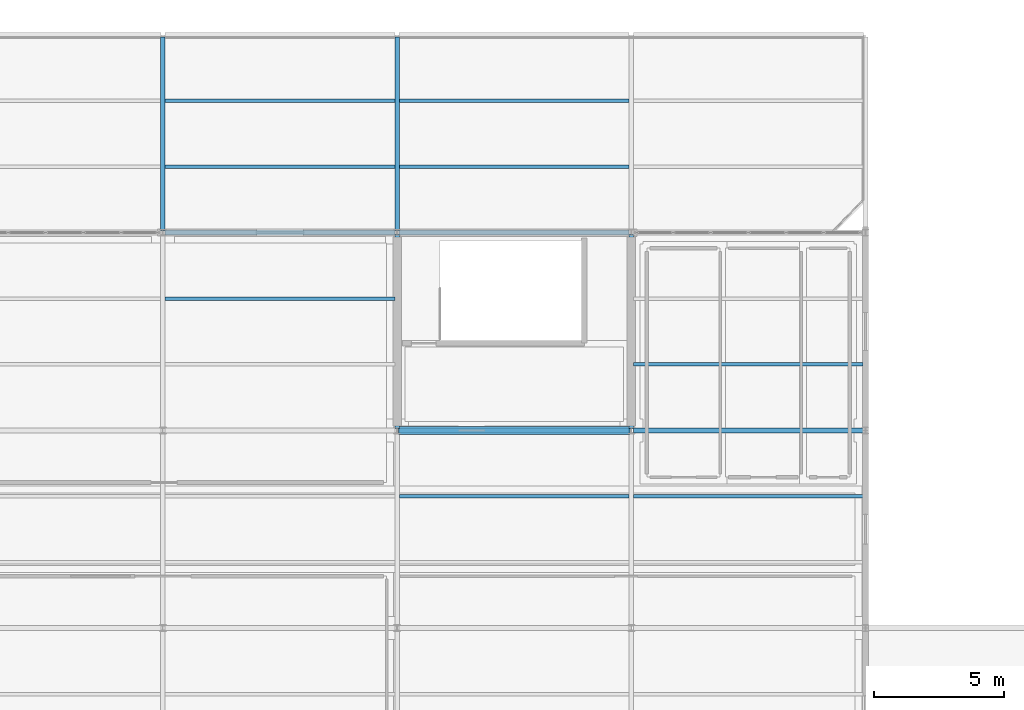
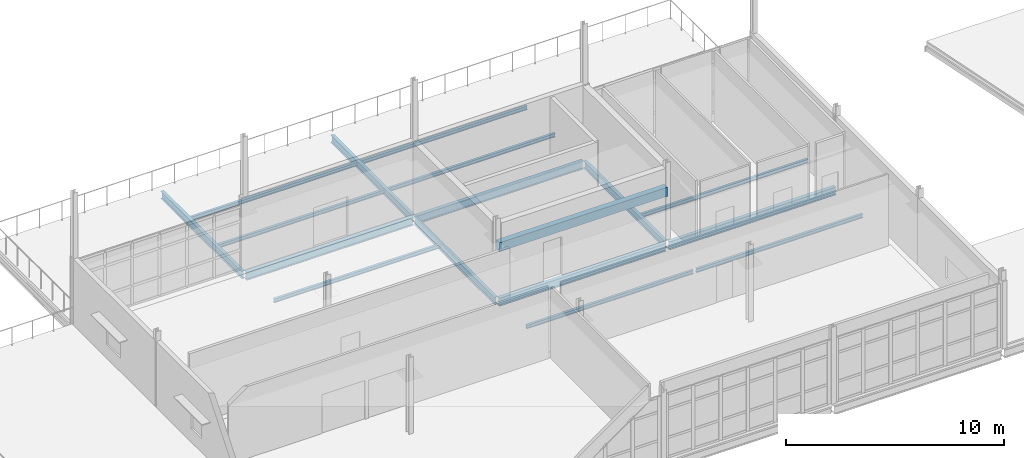
# One storey, part 48 of 96: 17 beams.
"""IFC4 building model written with IfcOpenShell, lengths in metres."""

from ifc_helpers import new_model, si_unit, direction, frame, origin, origin_2d, place, context, subcontext, project, spatial, rectangle, i_section, extrude, material, material_profile, profile_set, type_object, element, save


model = new_model("IFC4")

# Units and contexts
model_context = context("Model", 3, precision=1e-05, world=origin(), true_north=direction((0.0, 1.0)))
body_context = subcontext(model_context, "Body", "Model", "MODEL_VIEW")
ifc_project = project(units=[si_unit("LENGTHUNIT", "METRE"), si_unit("AREAUNIT", "SQUARE_METRE"), si_unit("VOLUMEUNIT", "CUBIC_METRE"), si_unit("PLANEANGLEUNIT", "RADIAN"), si_unit("MASSUNIT", "GRAM", prefix="KILO")], contexts=[model_context])

# Site, building, storey
site_placement = place(None, origin())
site = spatial("IfcSite", under=ifc_project, at=site_placement, CompositionType="ELEMENT")
building_placement = place(site_placement, origin())
building = spatial("IfcBuilding", under=site, at=building_placement, Name="Caisbarro Railhouse Central Library", CompositionType="ELEMENT")
storey_placement = place(building_placement, frame((0.0, 0.0, 13.679931640625)))
storey = spatial("IfcBuildingStorey", under=building, at=storey_placement, Name="L03", CompositionType="ELEMENT", Elevation=13.679931640625)

# Beams
ifc_material_1 = material(Name="Steel ASTM A572 Grade 50", Category="steel")
ifc_material_profile_1 = material_profile(ifc_material_1, i_section(OverallWidth=0.18994140625, OverallDepth=0.45703125, WebThickness=0.009033203125, FlangeThickness=0.014404296875, FilletRadius=0.01806640625, at=origin_2d()), Name="W460X74.0")
ifc_profile_set_1 = profile_set([ifc_material_profile_1], Name="Steel ASTM A572 Grade 50")
beam_type_1 = type_object("IfcBeamType", Name="BM-G08", PredefinedType="BEAM", material=ifc_profile_set_1)
for number, where, z_axis, x_axis, name in (
    (1, (81.080078125, 98.800048828125, -0.428466796875), (1.0, 0.0, 0.0), (0.0, 1.0, 0.0), "G08 beam L03 #1976"),
    (2, (90.080078125, 98.800048828125, -0.428466796875), (1.0, 0.0, 0.0), (0.0, 1.0, 0.0), "G08 beam L03 #1977"),
):
    element("IfcBeam", number, at=place(storey_placement, frame(where, z_axis=z_axis, x_axis=x_axis)), inside=storey, type_object=beam_type_1, Name=name, PredefinedType="BEAM", context=body_context, shape_type="SweptSolid", body=[
        extrude(i_section(OverallWidth=0.18994140625, OverallDepth=0.45703125, WebThickness=0.009033203125, FlangeThickness=0.014404296875, FilletRadius=0.01806640625, at=origin_2d()), origin(), (0.0, 0.0, 1.0), 8.83984375),
    ])
ifc_material_profile_2 = material_profile(ifc_material_1, i_section(OverallWidth=0.177978515625, OverallDepth=0.406982421875, WebThickness=0.0078125, FlangeThickness=0.0126953125, FilletRadius=0.01611328125, at=origin_2d()), Name="W410X60.0")
ifc_profile_set_2 = profile_set([ifc_material_profile_2], Name="Steel ASTM A572 Grade 50")
beam_type_2 = type_object("IfcBeamType", Name="BM-G10", PredefinedType="BEAM", material=ifc_profile_set_2)
for number, where, z_axis, x_axis, name in (
    (3, (72.0, 106.47998046875, -0.413330078125), (0.0, 1.0, 0.0), (-1.0, 0.0, 0.0), "G10 beam L03 #1954"),
    (4, (81.0, 106.47998046875, -0.413330078125), (0.0, 1.0, 0.0), (-1.0, 0.0, 0.0), "G10 beam L03 #1955"),
):
    element("IfcBeam", number, at=place(storey_placement, frame(where, z_axis=z_axis, x_axis=x_axis)), inside=storey, type_object=beam_type_2, Name=name, PredefinedType="BEAM", context=body_context, shape_type="SweptSolid", body=[
        extrude(i_section(OverallWidth=0.177978515625, OverallDepth=0.406982421875, WebThickness=0.0078125, FlangeThickness=0.0126953125, FilletRadius=0.01611328125, at=origin_2d()), origin(), (0.0, 0.0, 1.0), 7.43994140625),
    ])
for number, where, z_axis, x_axis, name in (
    (5, (81.0, 98.8798828125, -0.4033203125), (0.0, 1.0, 0.0), (-1.0, 0.0, 0.0), "G10 beam L03 #1986"),
    (6, (90.0, 98.8798828125, -0.4033203125), (0.0, 1.0, 0.0), (-1.0, 0.0, 0.0), "G10 beam L03 #1989"),
):
    element("IfcBeam", number, at=place(storey_placement, frame(where, z_axis=z_axis, x_axis=x_axis)), inside=storey, type_object=beam_type_2, Name=name, PredefinedType="BEAM", context=body_context, shape_type="SweptSolid", body=[
        extrude(i_section(OverallWidth=0.177978515625, OverallDepth=0.406982421875, WebThickness=0.0078125, FlangeThickness=0.0126953125, FilletRadius=0.01611328125, at=origin_2d()), origin(), (0.0, 0.0, 1.0), 7.440185546875),
    ])
ifc_material_profile_3 = material_profile(ifc_material_1, i_section(OverallWidth=0.133056640625, OverallDepth=0.20703125, WebThickness=0.005859375, FlangeThickness=0.00830078125, FilletRadius=0.010009765625, at=origin_2d()), Name="W200X26.6")
ifc_profile_set_3 = profile_set([ifc_material_profile_3], Name="Steel ASTM A572 Grade 50")
beam_type_3 = type_object("IfcBeamType", Name="BM-J07", PredefinedType="JOIST", material=ifc_profile_set_3)
for number, where, z_axis, x_axis, name in (
    (7, (72.089111328125, 108.933349609375, -0.3134765625), (1.0, 0.0, 0.0), (0.0, 1.0, 0.0), "J07 beam L03 #1960"),
    (8, (72.089111328125, 111.466796875, -0.3134765625), (1.0, 0.0, 0.0), (0.0, 1.0, 0.0), "J07 beam L03 #1961"),
    (9, (81.089111328125, 108.933349609375, -0.3134765625), (1.0, 0.0, 0.0), (0.0, 1.0, 0.0), "J07 beam L03 #1962"),
    (10, (81.089111328125, 111.466796875, -0.3134765625), (1.0, 0.0, 0.0), (0.0, 1.0, 0.0), "J07 beam L03 #1963"),
    (11, (72.089111328125, 103.86669921875, -0.303466796875), (1.0, 0.0, 0.0), (0.0, 1.0, 0.0), "J07 beam L03 #2004"),
    (12, (81.089111328125, 96.2666015625, -0.303466796875), (1.0, 0.0, 0.0), (0.0, 1.0, 0.0), "J07 beam L03 #2008"),
    (13, (90.089111328125, 96.2666015625, -0.303466796875), (1.0, 0.0, 0.0), (0.0, 1.0, 0.0), "J07 beam L03 #2012"),
    (14, (90.089111328125, 101.333251953125, -0.303466796875), (1.0, 0.0, 0.0), (0.0, 1.0, 0.0), "J07 beam L03 #2013"),
):
    element("IfcBeam", number, at=place(storey_placement, frame(where, z_axis=z_axis, x_axis=x_axis)), inside=storey, type_object=beam_type_3, Name=name, PredefinedType="JOIST", context=body_context, shape_type="SweptSolid", body=[
        extrude(i_section(OverallWidth=0.133056640625, OverallDepth=0.20703125, WebThickness=0.005859375, FlangeThickness=0.00830078125, FilletRadius=0.010009765625, at=origin_2d()), origin(), (0.0, 0.0, 1.0), 8.82177734375),
    ])
ifc_material_2 = material(Name="Concrete C40", Category="concrete")
ifc_material_profile_4 = material_profile(ifc_material_2, rectangle(XDim=0.300048828125, YDim=0.5, at=origin_2d()), Name="RC-LIN-300X500")
ifc_profile_set_4 = profile_set([ifc_material_profile_4], Name="Concrete C40")
beam_type_4 = type_object("IfcBeamType", Name="BM-LN03", PredefinedType="LINTEL", material=ifc_profile_set_4)
beam_placement = place(storey_placement, frame((81.050048828125, 98.800048828125, 2.699951171875), z_axis=(1.0, 0.0, 0.0), x_axis=(0.0, 1.0, 0.0)))
element("IfcBeam", 15, at=beam_placement, inside=storey, type_object=beam_type_4, Name="LN03 RC core coupling lintel K5 L03", PredefinedType="LINTEL", context=body_context, shape_type="SweptSolid", body=[
    extrude(rectangle(XDim=0.300048828125, YDim=0.5, at=origin_2d()), origin(), (0.0, 0.0, 1.0), 8.89990234375),
])
ifc_material_profile_5 = material_profile(ifc_material_1, i_section(OverallWidth=0.18994140625, OverallDepth=0.45703125, WebThickness=0.009033203125, FlangeThickness=0.014404296875, FilletRadius=0.01806640625, at=origin_2d()), Name="W460X74.0")
ifc_profile_set_5 = profile_set([ifc_material_profile_5], Name="Steel ASTM A572 Grade 50")
beam_type_5 = type_object("IfcBeamType", Name="BM-SP01", PredefinedType="SPANDREL", material=ifc_profile_set_5)
for number, where, z_axis, x_axis, name in (
    (16, (72.080078125, 106.39990234375, -0.4384765625), (1.0, 0.0, 0.0), (0.0, 1.0, 0.0), "SP01 beam L03 #1946"),
    (17, (81.080078125, 106.39990234375, -0.4384765625), (1.0, 0.0, 0.0), (0.0, 1.0, 0.0), "SP01 beam L03 #1947"),
):
    element("IfcBeam", number, at=place(storey_placement, frame(where, z_axis=z_axis, x_axis=x_axis)), inside=storey, type_object=beam_type_5, Name=name, PredefinedType="SPANDREL", context=body_context, shape_type="SweptSolid", body=[
        extrude(i_section(OverallWidth=0.18994140625, OverallDepth=0.45703125, WebThickness=0.009033203125, FlangeThickness=0.014404296875, FilletRadius=0.01806640625, at=origin_2d()), origin(), (0.0, 0.0, 1.0), 8.83984375),
    ])

save(model, "model.ifc")
